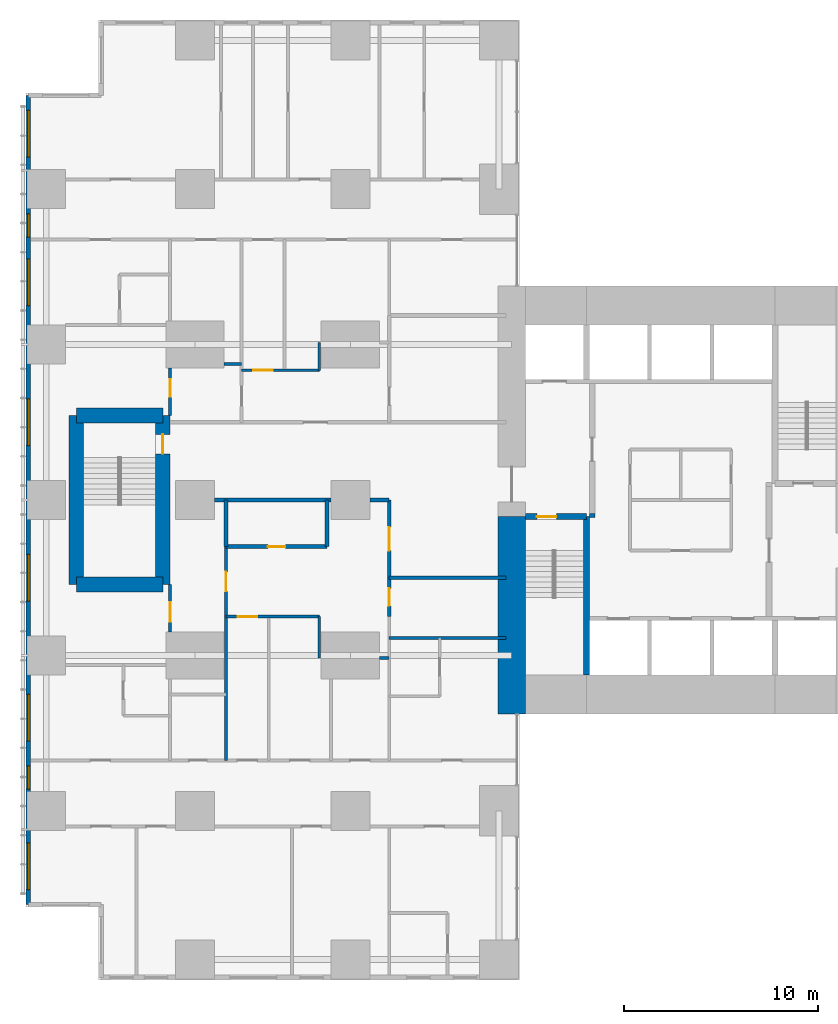
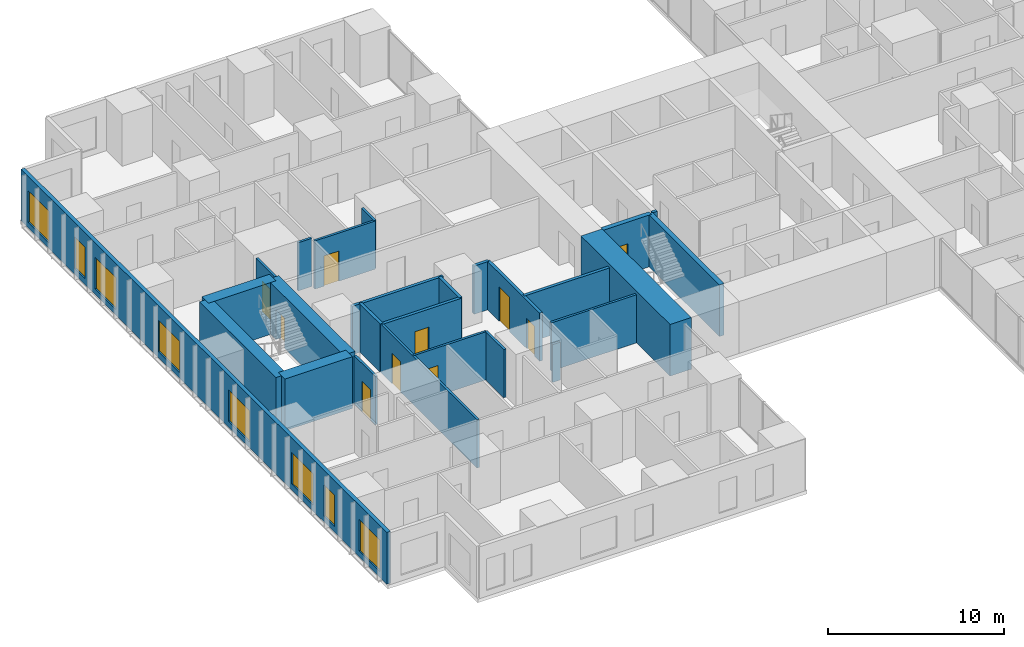
# One storey, part 13 of 20: 26 walls, 10 doors, 8 windows, 18 openings.
"""IFC4 building model written with IfcOpenShell, lengths in metres."""

from ifc_helpers import new_model, si_unit, direction, frame, frame_2d, origin, place, context, subcontext, project, spatial, rectangle, extrude, material, layer, layer_set, type_object, element, fill, save


model = new_model("IFC4")

# Units and contexts
model_context = context("Model", 3, precision=1e-05, world=origin(), true_north=direction((0.0, 1.0)))
body_context = subcontext(model_context, "Body", "Model", "MODEL_VIEW")
ifc_project = project(units=[si_unit("LENGTHUNIT", "METRE"), si_unit("AREAUNIT", "SQUARE_METRE"), si_unit("VOLUMEUNIT", "CUBIC_METRE"), si_unit("PLANEANGLEUNIT", "RADIAN"), si_unit("MASSUNIT", "GRAM", prefix="KILO")], contexts=[model_context])

# Site, building, storey
site_placement = place(None, origin())
site = spatial("IfcSite", under=ifc_project, at=site_placement, CompositionType="ELEMENT")
building_placement = place(site_placement, origin())
building = spatial("IfcBuilding", under=site, at=building_placement, Name="Cleftline Residences", CompositionType="ELEMENT")
storey_placement = place(building_placement, frame((0.0, 0.0, 164.60009765625)))
storey = spatial("IfcBuildingStorey", under=building, at=storey_placement, Name="L43", CompositionType="ELEMENT", Elevation=164.60009765625)

# Walls
ifc_material_1 = material(Name="Concrete B70", Category="concrete")
ifc_layer_1 = layer(ifc_material_1, 1.39990234375)
ifc_layer_set_1 = layer_set([ifc_layer_1], Name="CORE WALL 1400")
wall_type_1 = type_object("IfcWallType", Name="CORE WALL 1400", PredefinedType="SHEAR", material=ifc_layer_set_1)
wall_1_placement = place(storey_placement, frame((24.300048828125, 13.0, 0.0), z_axis=(0.0, 0.0, 1.0), x_axis=(0.0, 1.0, 0.0)))
element("IfcWall", 1, at=wall_1_placement, inside=storey, type_object=wall_type_1, Name="Core wall W0", PredefinedType="SHEAR", context=body_context, shape_type="SweptSolid", body=[
    extrude(rectangle(XDim=10.14990234375, YDim=1.39990234375, at=frame_2d((5.074951171875, 0.0))), origin(), (0.0, 0.0, 1.0), 3.599853515625),
])
ifc_material_2 = material(Name="Concrete B70", Category="concrete")
ifc_layer_2 = layer(ifc_material_2, 0.300048828125)
ifc_layer_set_2 = layer_set([ifc_layer_2], Name="CORE WALL 300")
wall_type_2 = type_object("IfcWallType", Name="CORE WALL 300", PredefinedType="SHEAR", material=ifc_layer_set_2)
wall_2_placement = place(storey_placement, frame((28.14990234375, 15.0, 0.0), z_axis=(0.0, 0.0, 1.0), x_axis=(0.0, 1.0, 0.0)))
element("IfcWall", 2, at=wall_2_placement, inside=storey, type_object=wall_type_2, Name="Core wall SA-E", PredefinedType="SHEAR", context=body_context, shape_type="SweptSolid", body=[
    extrude(rectangle(XDim=8.14990234375, YDim=0.300048828125, at=frame_2d((4.074951171875, 0.0))), origin(), (0.0, 0.0, 1.0), 3.599853515625),
])

# Wall, opening, door
wall_3_placement = place(storey_placement, frame((25.0, 23.14990234375, 0.0), z_axis=(0.0, 0.0, 1.0), x_axis=(1.0, 0.0, 0.0)))
wall_3 = element("IfcWall", 3, at=wall_3_placement, inside=storey, type_object=wall_type_2, Name="Core wall SA-N", PredefinedType="SHEAR", context=body_context, shape_type="SweptSolid", body=[
    extrude(rectangle(XDim=3.14990234375, YDim=0.300048828125, at=frame_2d((1.574951171875, 0.0))), origin(), (0.0, 0.0, 1.0), 3.599853515625),
])
opening_1_placement = place(wall_3_placement, frame((0.60009765625, 0.0, 0.0)))
opening_1 = element("IfcOpeningElement", 4, at=opening_1_placement, cuts=wall_3, Name="Opening D5", PredefinedType="OPENING", context=body_context, shape_type="SweptSolid", body=[
    extrude(rectangle(XDim=1.0, YDim=2.10009765625, at=frame_2d((0.5, 1.050048828125))), frame((0.0, 0.159912109375, 0.0), z_axis=(0.0, -1.0, 0.0), x_axis=(1.0, 0.0, 0.0)), (0.0, 0.0, 1.0), 0.320068359375),
])
ifc_material_3 = material(Name="Steel", Category="steel")
door_type_1 = type_object("IfcDoorType", Name="STAIR DOOR 1000X2100", OperationType="SINGLE_SWING_LEFT", PredefinedType="DOOR", material=ifc_material_3)
door_1_placement = place(opening_1_placement, origin())
door_1 = element("IfcDoor", 5, at=door_1_placement, inside=storey, type_object=door_type_1, Name="Stair A door", OperationType="SINGLE_SWING_RIGHT", OverallHeight=2.10009765625, OverallWidth=1.0, PredefinedType="DOOR", context=body_context, shape_type="SweptSolid", body=[
    extrude(rectangle(XDim=1.0, YDim=2.10009765625, at=frame_2d((0.5, 1.050048828125))), frame((0.0, 0.02490234375, 0.0), z_axis=(0.0, -1.0, 0.0), x_axis=(1.0, 0.0, 0.0)), (0.0, 0.0, 1.0), 0.050048828125),
])
fill(opening_1, door_1)

# Wall, openings, windows
ifc_material_4 = material(Name="Rendered reinforced concrete blockwork", Category="masonry")
ifc_layer_3 = layer(ifc_material_4, 0.25)
ifc_layer_set_3 = layer_set([ifc_layer_3], Name="EXTERNAL WALL 250")
wall_type_3 = type_object("IfcWallType", Name="EXTERNAL WALL 250", PredefinedType="SOLIDWALL", material=ifc_layer_set_3)
wall_4_placement = place(storey_placement, frame((-0.574951171875, 44.824951171875, 0.0), z_axis=(0.0, 0.0, 1.0), x_axis=(0.0, -1.0, 0.0)))
wall_4 = element("IfcWall", 6, at=wall_4_placement, inside=storey, type_object=wall_type_3, Name="External wall", PredefinedType="SOLIDWALL", context=body_context, shape_type="SweptSolid", body=[
    extrude(rectangle(XDim=41.64990234375, YDim=0.25, at=frame_2d((20.824951171875, 0.0))), origin(), (0.0, 0.0, 1.0), 3.599853515625),
])
opening_2_placement = place(wall_4_placement, frame((0.77490234375, 0.0, 0.39990234375)))
opening_2 = element("IfcOpeningElement", 7, at=opening_2_placement, cuts=wall_4, Name="Opening W12", PredefinedType="OPENING", context=body_context, shape_type="SweptSolid", body=[
    extrude(rectangle(XDim=2.39990234375, YDim=2.199951171875, at=frame_2d((1.199951171875, 1.10009765625))), frame((0.0, 0.135009765625, 0.0), z_axis=(0.0, -1.0, 0.0), x_axis=(1.0, 0.0, 0.0)), (0.0, 0.0, 1.0), 0.27001953125),
])
opening_3_placement = place(wall_4_placement, frame((6.10009765625, 0.0, 0.39990234375)))
opening_3 = element("IfcOpeningElement", 8, at=opening_3_placement, cuts=wall_4, Name="Opening W11", PredefinedType="OPENING", context=body_context, shape_type="SweptSolid", body=[
    extrude(rectangle(XDim=1.199951171875, YDim=2.199951171875, at=frame_2d((0.60009765625, 1.10009765625))), frame((0.0, 0.135009765625, 0.0), z_axis=(0.0, -1.0, 0.0), x_axis=(1.0, 0.0, 0.0)), (0.0, 0.0, 1.0), 0.27001953125),
])
opening_4_placement = place(wall_4_placement, frame((8.425048828125, 0.0, 0.39990234375)))
opening_4 = element("IfcOpeningElement", 9, at=opening_4_placement, cuts=wall_4, Name="Opening W12", PredefinedType="OPENING", context=body_context, shape_type="SweptSolid", body=[
    extrude(rectangle(XDim=2.39990234375, YDim=2.199951171875, at=frame_2d((1.199951171875, 1.10009765625))), frame((0.0, 0.135009765625, 0.0), z_axis=(0.0, -1.0, 0.0), x_axis=(1.0, 0.0, 0.0)), (0.0, 0.0, 1.0), 0.27001953125),
])
opening_5_placement = place(wall_4_placement, frame((15.625, 0.0, 0.39990234375)))
opening_5 = element("IfcOpeningElement", 10, at=opening_5_placement, cuts=wall_4, Name="Opening W12", PredefinedType="OPENING", context=body_context, shape_type="SweptSolid", body=[
    extrude(rectangle(XDim=2.39990234375, YDim=2.199951171875, at=frame_2d((1.199951171875, 1.10009765625))), frame((0.0, 0.135009765625, 0.0), z_axis=(0.0, -1.0, 0.0), x_axis=(1.0, 0.0, 0.0)), (0.0, 0.0, 1.0), 0.27001953125),
])
opening_6_placement = place(wall_4_placement, frame((23.625, 0.0, 0.39990234375)))
opening_6 = element("IfcOpeningElement", 11, at=opening_6_placement, cuts=wall_4, Name="Opening W12", PredefinedType="OPENING", context=body_context, shape_type="SweptSolid", body=[
    extrude(rectangle(XDim=2.39990234375, YDim=2.199951171875, at=frame_2d((1.199951171875, 1.10009765625))), frame((0.0, 0.135009765625, 0.0), z_axis=(0.0, -1.0, 0.0), x_axis=(1.0, 0.0, 0.0)), (0.0, 0.0, 1.0), 0.27001953125),
])
opening_7_placement = place(wall_4_placement, frame((30.824951171875, 0.0, 0.39990234375)))
opening_7 = element("IfcOpeningElement", 12, at=opening_7_placement, cuts=wall_4, Name="Opening W12", PredefinedType="OPENING", context=body_context, shape_type="SweptSolid", body=[
    extrude(rectangle(XDim=2.39990234375, YDim=2.199951171875, at=frame_2d((1.199951171875, 1.10009765625))), frame((0.0, 0.135009765625, 0.0), z_axis=(0.0, -1.0, 0.0), x_axis=(1.0, 0.0, 0.0)), (0.0, 0.0, 1.0), 0.27001953125),
])
opening_8_placement = place(wall_4_placement, frame((34.5, 0.0, 0.39990234375)))
opening_8 = element("IfcOpeningElement", 13, at=opening_8_placement, cuts=wall_4, Name="Opening W11", PredefinedType="OPENING", context=body_context, shape_type="SweptSolid", body=[
    extrude(rectangle(XDim=1.199951171875, YDim=2.199951171875, at=frame_2d((0.60009765625, 1.10009765625))), frame((0.0, 0.135009765625, 0.0), z_axis=(0.0, -1.0, 0.0), x_axis=(1.0, 0.0, 0.0)), (0.0, 0.0, 1.0), 0.27001953125),
])
opening_9_placement = place(wall_4_placement, frame((38.47509765625, 0.0, 0.39990234375)))
opening_9 = element("IfcOpeningElement", 14, at=opening_9_placement, cuts=wall_4, Name="Opening W12", PredefinedType="OPENING", context=body_context, shape_type="SweptSolid", body=[
    extrude(rectangle(XDim=2.39990234375, YDim=2.199951171875, at=frame_2d((1.199951171875, 1.10009765625))), frame((0.0, 0.135009765625, 0.0), z_axis=(0.0, -1.0, 0.0), x_axis=(1.0, 0.0, 0.0)), (0.0, 0.0, 1.0), 0.27001953125),
])
ifc_material_5 = material(Name="Aluminium frame, clear double glazing", Category="aluminium")
window_type_1 = type_object("IfcWindowType", Name="WINDOW 1200X2200", PartitioningType="DOUBLE_PANEL_VERTICAL", PredefinedType="WINDOW", material=ifc_material_5)
window_1_placement = place(opening_3_placement, origin())
window_1 = element("IfcWindow", 15, at=window_1_placement, inside=storey, type_object=window_type_1, Name="Window", OverallHeight=2.199951171875, OverallWidth=1.199951171875, PartitioningType="SINGLE_PANEL", PredefinedType="WINDOW", context=body_context, shape_type="SweptSolid", body=[
    extrude(rectangle(XDim=1.199951171875, YDim=2.199951171875, at=frame_2d((0.60009765625, 1.10009765625))), frame((0.0, 0.030029296875, 0.0), z_axis=(0.0, -1.0, 0.0), x_axis=(1.0, 0.0, 0.0)), (0.0, 0.0, 1.0), 0.06005859375),
])
fill(opening_3, window_1)
window_2_placement = place(opening_8_placement, origin())
window_2 = element("IfcWindow", 16, at=window_2_placement, inside=storey, type_object=window_type_1, Name="Window", OverallHeight=2.199951171875, OverallWidth=1.199951171875, PartitioningType="SINGLE_PANEL", PredefinedType="WINDOW", context=body_context, shape_type="SweptSolid", body=[
    extrude(rectangle(XDim=1.199951171875, YDim=2.199951171875, at=frame_2d((0.60009765625, 1.10009765625))), frame((0.0, 0.030029296875, 0.0), z_axis=(0.0, -1.0, 0.0), x_axis=(1.0, 0.0, 0.0)), (0.0, 0.0, 1.0), 0.06005859375),
])
fill(opening_8, window_2)
ifc_material_6 = material(Name="Aluminium frame, clear double glazing", Category="aluminium")
window_type_2 = type_object("IfcWindowType", Name="WINDOW 2400X2200", PartitioningType="DOUBLE_PANEL_VERTICAL", PredefinedType="WINDOW", material=ifc_material_6)
window_3_placement = place(opening_2_placement, origin())
window_3 = element("IfcWindow", 17, at=window_3_placement, inside=storey, type_object=window_type_2, Name="Window", OverallHeight=2.199951171875, OverallWidth=2.39990234375, PartitioningType="SINGLE_PANEL", PredefinedType="WINDOW", context=body_context, shape_type="SweptSolid", body=[
    extrude(rectangle(XDim=2.39990234375, YDim=2.199951171875, at=frame_2d((1.199951171875, 1.10009765625))), frame((0.0, 0.030029296875, 0.0), z_axis=(0.0, -1.0, 0.0), x_axis=(1.0, 0.0, 0.0)), (0.0, 0.0, 1.0), 0.06005859375),
])
fill(opening_2, window_3)
window_4_placement = place(opening_4_placement, origin())
window_4 = element("IfcWindow", 18, at=window_4_placement, inside=storey, type_object=window_type_2, Name="Window", OverallHeight=2.199951171875, OverallWidth=2.39990234375, PartitioningType="SINGLE_PANEL", PredefinedType="WINDOW", context=body_context, shape_type="SweptSolid", body=[
    extrude(rectangle(XDim=2.39990234375, YDim=2.199951171875, at=frame_2d((1.199951171875, 1.10009765625))), frame((0.0, 0.030029296875, 0.0), z_axis=(0.0, -1.0, 0.0), x_axis=(1.0, 0.0, 0.0)), (0.0, 0.0, 1.0), 0.06005859375),
])
fill(opening_4, window_4)
window_5_placement = place(opening_5_placement, origin())
window_5 = element("IfcWindow", 19, at=window_5_placement, inside=storey, type_object=window_type_2, Name="Window", OverallHeight=2.199951171875, OverallWidth=2.39990234375, PartitioningType="SINGLE_PANEL", PredefinedType="WINDOW", context=body_context, shape_type="SweptSolid", body=[
    extrude(rectangle(XDim=2.39990234375, YDim=2.199951171875, at=frame_2d((1.199951171875, 1.10009765625))), frame((0.0, 0.030029296875, 0.0), z_axis=(0.0, -1.0, 0.0), x_axis=(1.0, 0.0, 0.0)), (0.0, 0.0, 1.0), 0.06005859375),
])
fill(opening_5, window_5)
window_6_placement = place(opening_6_placement, origin())
window_6 = element("IfcWindow", 20, at=window_6_placement, inside=storey, type_object=window_type_2, Name="Window", OverallHeight=2.199951171875, OverallWidth=2.39990234375, PartitioningType="SINGLE_PANEL", PredefinedType="WINDOW", context=body_context, shape_type="SweptSolid", body=[
    extrude(rectangle(XDim=2.39990234375, YDim=2.199951171875, at=frame_2d((1.199951171875, 1.10009765625))), frame((0.0, 0.030029296875, 0.0), z_axis=(0.0, -1.0, 0.0), x_axis=(1.0, 0.0, 0.0)), (0.0, 0.0, 1.0), 0.06005859375),
])
fill(opening_6, window_6)
window_7_placement = place(opening_7_placement, origin())
window_7 = element("IfcWindow", 21, at=window_7_placement, inside=storey, type_object=window_type_2, Name="Window", OverallHeight=2.199951171875, OverallWidth=2.39990234375, PartitioningType="SINGLE_PANEL", PredefinedType="WINDOW", context=body_context, shape_type="SweptSolid", body=[
    extrude(rectangle(XDim=2.39990234375, YDim=2.199951171875, at=frame_2d((1.199951171875, 1.10009765625))), frame((0.0, 0.030029296875, 0.0), z_axis=(0.0, -1.0, 0.0), x_axis=(1.0, 0.0, 0.0)), (0.0, 0.0, 1.0), 0.06005859375),
])
fill(opening_7, window_7)
window_8_placement = place(opening_9_placement, origin())
window_8 = element("IfcWindow", 22, at=window_8_placement, inside=storey, type_object=window_type_2, Name="Window", OverallHeight=2.199951171875, OverallWidth=2.39990234375, PartitioningType="SINGLE_PANEL", PredefinedType="WINDOW", context=body_context, shape_type="SweptSolid", body=[
    extrude(rectangle(XDim=2.39990234375, YDim=2.199951171875, at=frame_2d((1.199951171875, 1.10009765625))), frame((0.0, 0.030029296875, 0.0), z_axis=(0.0, -1.0, 0.0), x_axis=(1.0, 0.0, 0.0)), (0.0, 0.0, 1.0), 0.06005859375),
])
fill(opening_9, window_8)

# Wall
ifc_material_7 = material(Name="Concrete blockwork, fire rated", Category="masonry")
ifc_layer_4 = layer(ifc_material_7, 0.199951171875)
ifc_layer_set_4 = layer_set([ifc_layer_4], Name="FIRE WALL 200")
wall_type_4 = type_object("IfcWallType", Name="FIRE WALL 200", PredefinedType="PARTITIONING", material=ifc_layer_set_4)
wall_5_placement = place(storey_placement, frame((18.0, 20.0, 0.0), z_axis=(0.0, 0.0, 1.0), x_axis=(1.0, 0.0, 0.0)))
element("IfcWall", 23, at=wall_5_placement, inside=storey, type_object=wall_type_4, Name="Fire separating wall", PredefinedType="PARTITIONING", context=body_context, shape_type="SweptSolid", body=[
    extrude(rectangle(XDim=6.0, YDim=0.199951171875, at=frame_2d((3.0, 0.0))), origin(), (0.0, 0.0, 1.0), 3.349853515625),
])

# Wall, opening, door
wall_6_placement = place(storey_placement, frame((9.60009765625, 21.60009765625, 0.0), z_axis=(0.0, 0.0, 1.0), x_axis=(1.0, 0.0, 0.0)))
wall_6 = element("IfcWall", 24, at=wall_6_placement, inside=storey, type_object=wall_type_4, Name="Fire separating wall", PredefinedType="PARTITIONING", context=body_context, shape_type="SweptSolid", body=[
    extrude(rectangle(XDim=5.199951171875, YDim=0.199951171875, at=frame_2d((2.60009765625, 0.0))), origin(), (0.0, 0.0, 1.0), 3.349853515625),
])
opening_10_placement = place(wall_6_placement, frame((2.14990234375, 0.0, 0.0)))
opening_10 = element("IfcOpeningElement", 25, at=opening_10_placement, cuts=wall_6, Name="Opening D1F30", PredefinedType="OPENING", context=body_context, shape_type="SweptSolid", body=[
    extrude(rectangle(XDim=0.89990234375, YDim=2.10009765625, at=frame_2d((0.449951171875, 1.050048828125))), frame((0.0, 0.10986328125, 0.0), z_axis=(0.0, -1.0, 0.0), x_axis=(1.0, 0.0, 0.0)), (0.0, 0.0, 1.0), 0.219970703125),
])
ifc_material_8 = material(Name="Timber veneer on solid core", Category="wood")
door_type_2 = type_object("IfcDoorType", Name="DOOR 900X2100 EI 30", OperationType="SINGLE_SWING_LEFT", PredefinedType="DOOR", material=ifc_material_8)
door_2_placement = place(opening_10_placement, origin())
door_2 = element("IfcDoor", 26, at=door_2_placement, inside=storey, type_object=door_type_2, Name="Door to cloakroom wc", OperationType="SINGLE_SWING_LEFT", OverallHeight=2.10009765625, OverallWidth=0.89990234375, PredefinedType="DOOR", context=body_context, shape_type="SweptSolid", body=[
    extrude(rectangle(XDim=0.89990234375, YDim=2.10009765625, at=frame_2d((0.449951171875, 1.050048828125))), frame((0.0, 0.02490234375, 0.0), z_axis=(0.0, -1.0, 0.0), x_axis=(1.0, 0.0, 0.0)), (0.0, 0.0, 1.0), 0.050048828125),
])
fill(opening_10, door_2)

# Walls
wall_7_placement = place(storey_placement, frame((9.0, 24.0, 0.0), z_axis=(0.0, 0.0, 1.0), x_axis=(1.0, 0.0, 0.0)))
element("IfcWall", 27, at=wall_7_placement, inside=storey, type_object=wall_type_4, Name="Fire separating wall", PredefinedType="PARTITIONING", context=body_context, shape_type="SweptSolid", body=[
    extrude(rectangle(XDim=6.0, YDim=0.199951171875, at=frame_2d((3.0, 0.0))), origin(), (0.0, 0.0, 1.0), 3.349853515625),
])
wall_8_placement = place(storey_placement, frame((17.0, 24.0, 0.0), z_axis=(0.0, 0.0, 1.0), x_axis=(1.0, 0.0, 0.0)))
element("IfcWall", 28, at=wall_8_placement, inside=storey, type_object=wall_type_4, Name="Fire separating wall", PredefinedType="PARTITIONING", context=body_context, shape_type="SweptSolid", body=[
    extrude(rectangle(XDim=1.0, YDim=0.199951171875, at=frame_2d((0.5, 0.0))), origin(), (0.0, 0.0, 1.0), 3.349853515625),
])
for number, where, z_axis, x_axis, name in (
    (29, (9.60009765625, 21.60009765625, 0.0), (0.0, 0.0, 1.0), (0.0, 1.0, 0.0), "Fire separating wall"),
    (30, (14.800048828125, 21.60009765625, 0.0), (0.0, 0.0, 1.0), (0.0, 1.0, 0.0), "Fire separating wall"),
):
    element("IfcWall", number, at=place(storey_placement, frame(where, z_axis=z_axis, x_axis=x_axis)), inside=storey, type_object=wall_type_4, Name=name, PredefinedType="PARTITIONING", context=body_context, shape_type="SweptSolid", body=[
        extrude(rectangle(XDim=2.39990234375, YDim=0.199951171875, at=frame_2d((1.199951171875, 0.0))), origin(), (0.0, 0.0, 1.0), 3.349853515625),
    ])

# Wall, openings, doors
wall_9_placement = place(storey_placement, frame((18.0, 18.0, 0.0), z_axis=(0.0, 0.0, 1.0), x_axis=(0.0, 1.0, 0.0)))
wall_9 = element("IfcWall", 31, at=wall_9_placement, inside=storey, type_object=wall_type_4, Name="Fire separating wall", PredefinedType="PARTITIONING", context=body_context, shape_type="SweptSolid", body=[
    extrude(rectangle(XDim=6.0, YDim=0.199951171875, at=frame_2d((3.0, 0.0))), origin(), (0.0, 0.0, 1.0), 3.349853515625),
])
opening_11_placement = place(wall_9_placement, frame((3.39990234375, 0.0, 0.0)))
opening_11 = element("IfcOpeningElement", 32, at=opening_11_placement, cuts=wall_9, Name="Opening D4", PredefinedType="OPENING", context=body_context, shape_type="SweptSolid", body=[
    extrude(rectangle(XDim=1.199951171875, YDim=2.39990234375, at=frame_2d((0.60009765625, 1.199951171875))), frame((0.0, 0.10986328125, 0.0), z_axis=(0.0, -1.0, 0.0), x_axis=(1.0, 0.0, 0.0)), (0.0, 0.0, 1.0), 0.219970703125),
])
opening_12_placement = place(wall_9_placement, frame((0.550048828125, 0.0, 0.0)))
opening_12 = element("IfcOpeningElement", 33, at=opening_12_placement, cuts=wall_9, Name="Opening D1F30", PredefinedType="OPENING", context=body_context, shape_type="SweptSolid", body=[
    extrude(rectangle(XDim=0.89990234375, YDim=2.10009765625, at=frame_2d((0.449951171875, 1.050048828125))), frame((0.0, 0.10986328125, 0.0), z_axis=(0.0, -1.0, 0.0), x_axis=(1.0, 0.0, 0.0)), (0.0, 0.0, 1.0), 0.219970703125),
])
ifc_material_9 = material(Name="Timber veneer on solid core", Category="wood")
door_type_3 = type_object("IfcDoorType", Name="APARTMENT ENTRANCE DOOR 1200X2400", OperationType="SINGLE_SWING_RIGHT", PredefinedType="DOOR", material=ifc_material_9)
door_3_placement = place(opening_11_placement, origin())
door_3 = element("IfcDoor", 34, at=door_3_placement, inside=storey, type_object=door_type_3, Name="Door to residence entrance foyer", OperationType="SINGLE_SWING_LEFT", OverallHeight=2.39990234375, OverallWidth=1.199951171875, PredefinedType="DOOR", context=body_context, shape_type="SweptSolid", body=[
    extrude(rectangle(XDim=1.199951171875, YDim=2.39990234375, at=frame_2d((0.60009765625, 1.199951171875))), frame((0.0, 0.02490234375, 0.0), z_axis=(0.0, -1.0, 0.0), x_axis=(1.0, 0.0, 0.0)), (0.0, 0.0, 1.0), 0.050048828125),
])
fill(opening_11, door_3)
door_4_placement = place(opening_12_placement, origin())
door_4 = element("IfcDoor", 35, at=door_4_placement, inside=storey, type_object=door_type_2, Name="Door to laundry", OperationType="SINGLE_SWING_RIGHT", OverallHeight=2.10009765625, OverallWidth=0.89990234375, PredefinedType="DOOR", context=body_context, shape_type="SweptSolid", body=[
    extrude(rectangle(XDim=0.89990234375, YDim=2.10009765625, at=frame_2d((0.449951171875, 1.050048828125))), frame((0.0, 0.02490234375, 0.0), z_axis=(0.0, -1.0, 0.0), x_axis=(1.0, 0.0, 0.0)), (0.0, 0.0, 1.0), 0.050048828125),
])
fill(opening_12, door_4)

# Walls
wall_10_placement = place(storey_placement, frame((28.300048828125, 23.199951171875, 0.0), z_axis=(0.0, 0.0, 1.0), x_axis=(1.0, 0.0, 0.0)))
element("IfcWall", 36, at=wall_10_placement, inside=storey, type_object=wall_type_4, Name="Fire separating wall", PredefinedType="PARTITIONING", context=body_context, shape_type="SweptSolid", body=[
    extrude(rectangle(XDim=0.300048828125, YDim=0.199951171875, at=frame_2d((0.14990234375, 0.0))), origin(), (0.0, 0.0, 1.0), 3.599853515625),
])
ifc_material_10 = material(Name="Gypsum board on steel studs", Category="steel")
ifc_layer_5 = layer(ifc_material_10, 0.14990234375)
ifc_layer_set_5 = layer_set([ifc_layer_5], Name="PARTITION 150")
wall_type_5 = type_object("IfcWallType", Name="PARTITION 150", PredefinedType="PARTITIONING", material=ifc_layer_set_5)
wall_11_placement = place(storey_placement, frame((17.5, 15.875, 0.0), z_axis=(0.0, 0.0, 1.0), x_axis=(1.0, 0.0, 0.0)))
element("IfcWall", 37, at=wall_11_placement, inside=storey, type_object=wall_type_5, Name="Partition", PredefinedType="PARTITIONING", context=body_context, shape_type="SweptSolid", body=[
    extrude(rectangle(XDim=0.5, YDim=0.14990234375, at=frame_2d((0.25, 0.0))), origin(), (0.0, 0.0, 1.0), 2.6337890625),
])
wall_12_placement = place(storey_placement, frame((18.0, 16.89990234375, 0.0), z_axis=(0.0, 0.0, 1.0), x_axis=(1.0, 0.0, 0.0)))
element("IfcWall", 38, at=wall_12_placement, inside=storey, type_object=wall_type_5, Name="Partition", PredefinedType="PARTITIONING", context=body_context, shape_type="SweptSolid", body=[
    extrude(rectangle(XDim=6.0, YDim=0.14990234375, at=frame_2d((3.0, 0.0))), origin(), (0.0, 0.0, 1.0), 3.349853515625),
])

# Wall, opening, door
wall_13_placement = place(storey_placement, frame((9.60009765625, 18.0, 0.0), z_axis=(0.0, 0.0, 1.0), x_axis=(1.0, 0.0, 0.0)))
wall_13 = element("IfcWall", 39, at=wall_13_placement, inside=storey, type_object=wall_type_5, Name="Partition", PredefinedType="PARTITIONING", context=body_context, shape_type="SweptSolid", body=[
    extrude(rectangle(XDim=4.7998046875, YDim=0.14990234375, at=frame_2d((2.39990234375, 0.0))), origin(), (0.0, 0.0, 1.0), 3.349853515625),
])
opening_13_placement = place(wall_13_placement, frame((0.60009765625, 0.0, 0.0)))
opening_13 = element("IfcOpeningElement", 40, at=opening_13_placement, cuts=wall_13, Name="Opening D2", PredefinedType="OPENING", context=body_context, shape_type="SweptSolid", body=[
    extrude(rectangle(XDim=1.0, YDim=2.10009765625, at=frame_2d((0.5, 1.050048828125))), frame((0.0, 0.0849609375, 0.0), z_axis=(0.0, -1.0, 0.0), x_axis=(1.0, 0.0, 0.0)), (0.0, 0.0, 1.0), 0.169921875),
])
ifc_material_11 = material(Name="Timber veneer on solid core", Category="wood")
door_type_4 = type_object("IfcDoorType", Name="DOOR 1000X2100", OperationType="SINGLE_SWING_LEFT", PredefinedType="DOOR", material=ifc_material_11)
door_5_placement = place(opening_13_placement, origin())
door_5 = element("IfcDoor", 41, at=door_5_placement, inside=storey, type_object=door_type_4, Name="Door to residence passage", OperationType="SINGLE_SWING_RIGHT", OverallHeight=2.10009765625, OverallWidth=1.0, PredefinedType="DOOR", context=body_context, shape_type="SweptSolid", body=[
    extrude(rectangle(XDim=1.0, YDim=2.10009765625, at=frame_2d((0.5, 1.050048828125))), frame((0.0, 0.02490234375, 0.0), z_axis=(0.0, -1.0, 0.0), x_axis=(1.0, 0.0, 0.0)), (0.0, 0.0, 1.0), 0.050048828125),
])
fill(opening_13, door_5)

wall_14_placement = place(storey_placement, frame((10.39990234375, 30.675048828125, 0.0), z_axis=(0.0, 0.0, 1.0), x_axis=(1.0, 0.0, 0.0)))
wall_14 = element("IfcWall", 42, at=wall_14_placement, inside=storey, type_object=wall_type_5, Name="Partition", PredefinedType="PARTITIONING", context=body_context, shape_type="SweptSolid", body=[
    extrude(rectangle(XDim=4.0, YDim=0.14990234375, at=frame_2d((2.0, 0.0))), origin(), (0.0, 0.0, 1.0), 3.349853515625),
])
opening_14_placement = place(wall_14_placement, frame((0.60009765625, 0.0, 0.0)))
opening_14 = element("IfcOpeningElement", 43, at=opening_14_placement, cuts=wall_14, Name="Opening D2", PredefinedType="OPENING", context=body_context, shape_type="SweptSolid", body=[
    extrude(rectangle(XDim=1.0, YDim=2.10009765625, at=frame_2d((0.5, 1.050048828125))), frame((0.0, 0.0849609375, 0.0), z_axis=(0.0, -1.0, 0.0), x_axis=(1.0, 0.0, 0.0)), (0.0, 0.0, 1.0), 0.169921875),
])
door_6_placement = place(opening_14_placement, origin())
door_6 = element("IfcDoor", 44, at=door_6_placement, inside=storey, type_object=door_type_4, Name="Door to residence passage", OperationType="SINGLE_SWING_RIGHT", OverallHeight=2.10009765625, OverallWidth=1.0, PredefinedType="DOOR", context=body_context, shape_type="SweptSolid", body=[
    extrude(rectangle(XDim=1.0, YDim=2.10009765625, at=frame_2d((0.5, 1.050048828125))), frame((0.0, 0.02490234375, 0.0), z_axis=(0.0, -1.0, 0.0), x_axis=(1.0, 0.0, 0.0)), (0.0, 0.0, 1.0), 0.050048828125),
])
fill(opening_14, door_6)

# Wall
wall_15_placement = place(storey_placement, frame((9.5, 31.0, 0.0), z_axis=(0.0, 0.0, 1.0), x_axis=(1.0, 0.0, 0.0)))
element("IfcWall", 45, at=wall_15_placement, inside=storey, type_object=wall_type_5, Name="Partition", PredefinedType="PARTITIONING", context=body_context, shape_type="SweptSolid", body=[
    extrude(rectangle(XDim=0.89990234375, YDim=0.14990234375, at=frame_2d((0.449951171875, 0.0))), origin(), (0.0, 0.0, 1.0), 3.349853515625),
])

# Wall, opening, door
wall_16_placement = place(storey_placement, frame((6.72509765625, 17.199951171875, 0.0), z_axis=(0.0, 0.0, 1.0), x_axis=(0.0, 1.0, 0.0)))
wall_16 = element("IfcWall", 46, at=wall_16_placement, inside=storey, type_object=wall_type_5, Name="Partition", PredefinedType="PARTITIONING", context=body_context, shape_type="SweptSolid", body=[
    extrude(rectangle(XDim=2.449951171875, YDim=0.14990234375, at=frame_2d((1.22509765625, 0.0))), origin(), (0.0, 0.0, 1.0), 3.349853515625),
])
opening_15_placement = place(wall_16_placement, frame((0.53759765625, 0.0, 0.0)))
opening_15 = element("IfcOpeningElement", 47, at=opening_15_placement, cuts=wall_16, Name="Opening D2", PredefinedType="OPENING", context=body_context, shape_type="SweptSolid", body=[
    extrude(rectangle(XDim=1.0, YDim=2.10009765625, at=frame_2d((0.5, 1.050048828125))), frame((0.0, 0.0849609375, 0.0), z_axis=(0.0, -1.0, 0.0), x_axis=(1.0, 0.0, 0.0)), (0.0, 0.0, 1.0), 0.169921875),
])
door_7_placement = place(opening_15_placement, origin())
door_7 = element("IfcDoor", 48, at=door_7_placement, inside=storey, type_object=door_type_4, Name="Door to staff bedroom", OperationType="SINGLE_SWING_RIGHT", OverallHeight=2.10009765625, OverallWidth=1.0, PredefinedType="DOOR", context=body_context, shape_type="SweptSolid", body=[
    extrude(rectangle(XDim=1.0, YDim=2.10009765625, at=frame_2d((0.5, 1.050048828125))), frame((0.0, 0.02490234375, 0.0), z_axis=(0.0, -1.0, 0.0), x_axis=(1.0, 0.0, 0.0)), (0.0, 0.0, 1.0), 0.050048828125),
])
fill(opening_15, door_7)

wall_17_placement = place(storey_placement, frame((6.72509765625, 28.35009765625, 0.0), z_axis=(0.0, 0.0, 1.0), x_axis=(0.0, 1.0, 0.0)))
wall_17 = element("IfcWall", 49, at=wall_17_placement, inside=storey, type_object=wall_type_5, Name="Partition", PredefinedType="PARTITIONING", context=body_context, shape_type="SweptSolid", body=[
    extrude(rectangle(XDim=2.449951171875, YDim=0.14990234375, at=frame_2d((1.22509765625, 0.0))), origin(), (0.0, 0.0, 1.0), 3.349853515625),
])
opening_16_placement = place(wall_17_placement, frame((0.96240234375, 0.0, 0.0)))
opening_16 = element("IfcOpeningElement", 50, at=opening_16_placement, cuts=wall_17, Name="Opening D1", PredefinedType="OPENING", context=body_context, shape_type="SweptSolid", body=[
    extrude(rectangle(XDim=0.89990234375, YDim=2.10009765625, at=frame_2d((0.449951171875, 1.050048828125))), frame((0.0, 0.0849609375, 0.0), z_axis=(0.0, -1.0, 0.0), x_axis=(1.0, 0.0, 0.0)), (0.0, 0.0, 1.0), 0.169921875),
])
ifc_material_12 = material(Name="Timber veneer on solid core", Category="wood")
door_type_5 = type_object("IfcDoorType", Name="DOOR 900X2100", OperationType="SINGLE_SWING_LEFT", PredefinedType="DOOR", material=ifc_material_12)
door_8_placement = place(opening_16_placement, origin())
door_8 = element("IfcDoor", 51, at=door_8_placement, inside=storey, type_object=door_type_5, Name="Door to drying loggia", OperationType="SINGLE_SWING_LEFT", OverallHeight=2.10009765625, OverallWidth=0.89990234375, PredefinedType="DOOR", context=body_context, shape_type="SweptSolid", body=[
    extrude(rectangle(XDim=0.89990234375, YDim=2.10009765625, at=frame_2d((0.449951171875, 1.050048828125))), frame((0.0, 0.02490234375, 0.0), z_axis=(0.0, -1.0, 0.0), x_axis=(1.0, 0.0, 0.0)), (0.0, 0.0, 1.0), 0.050048828125),
])
fill(opening_16, door_8)

wall_18_placement = place(storey_placement, frame((9.60009765625, 10.60009765625, 0.0), z_axis=(0.0, 0.0, 1.0), x_axis=(0.0, 1.0, 0.0)))
wall_18 = element("IfcWall", 52, at=wall_18_placement, inside=storey, type_object=wall_type_5, Name="Partition", PredefinedType="PARTITIONING", context=body_context, shape_type="SweptSolid", body=[
    extrude(rectangle(XDim=11.0, YDim=0.14990234375, at=frame_2d((5.5, 0.0))), origin(), (0.0, 0.0, 1.0), 3.349853515625),
])
opening_17_placement = place(wall_18_placement, frame((8.699951171875, 0.0, 0.0)))
opening_17 = element("IfcOpeningElement", 53, at=opening_17_placement, cuts=wall_18, Name="Opening D2F30", PredefinedType="OPENING", context=body_context, shape_type="SweptSolid", body=[
    extrude(rectangle(XDim=1.0, YDim=2.10009765625, at=frame_2d((0.5, 1.050048828125))), frame((0.0, 0.0849609375, 0.0), z_axis=(0.0, -1.0, 0.0), x_axis=(1.0, 0.0, 0.0)), (0.0, 0.0, 1.0), 0.169921875),
])
ifc_material_13 = material(Name="Timber veneer on solid core", Category="wood")
door_type_6 = type_object("IfcDoorType", Name="DOOR 1000X2100 EI 30", OperationType="SINGLE_SWING_LEFT", PredefinedType="DOOR", material=ifc_material_13)
door_9_placement = place(opening_17_placement, origin())
door_9 = element("IfcDoor", 54, at=door_9_placement, inside=storey, type_object=door_type_6, Name="Door to residence lobby (service)", OperationType="SINGLE_SWING_LEFT", OverallHeight=2.10009765625, OverallWidth=1.0, PredefinedType="DOOR", context=body_context, shape_type="SweptSolid", body=[
    extrude(rectangle(XDim=1.0, YDim=2.10009765625, at=frame_2d((0.5, 1.050048828125))), frame((0.0, 0.02490234375, 0.0), z_axis=(0.0, -1.0, 0.0), x_axis=(1.0, 0.0, 0.0)), (0.0, 0.0, 1.0), 0.050048828125),
])
fill(opening_17, door_9)

# Walls
wall_19_placement = place(storey_placement, frame((14.39990234375, 15.875, 0.0), z_axis=(0.0, 0.0, 1.0), x_axis=(0.0, 1.0, 0.0)))
element("IfcWall", 55, at=wall_19_placement, inside=storey, type_object=wall_type_5, Name="Partition", PredefinedType="PARTITIONING", context=body_context, shape_type="SweptSolid", body=[
    extrude(rectangle(XDim=2.125, YDim=0.14990234375, at=frame_2d((1.0625, 0.0))), origin(), (0.0, 0.0, 1.0), 3.349853515625),
])
wall_20_placement = place(storey_placement, frame((14.39990234375, 30.675048828125, 0.0), z_axis=(0.0, 0.0, 1.0), x_axis=(0.0, 1.0, 0.0)))
element("IfcWall", 56, at=wall_20_placement, inside=storey, type_object=wall_type_5, Name="Partition", PredefinedType="PARTITIONING", context=body_context, shape_type="SweptSolid", body=[
    extrude(rectangle(XDim=1.425048828125, YDim=0.14990234375, at=frame_2d((0.71240234375, 0.0))), origin(), (0.0, 0.0, 1.0), 3.349853515625),
])
ifc_material_14 = material(Name="Concrete B70", Category="concrete")
ifc_layer_6 = layer(ifc_material_14, 0.75)
ifc_layer_set_6 = layer_set([ifc_layer_6], Name="SHEAR WALL 750")
wall_type_6 = type_object("IfcWallType", Name="SHEAR WALL 750", PredefinedType="SHEAR", material=ifc_layer_set_6)
wall_21_placement = place(storey_placement, frame((1.89990234375, 19.64990234375, 0.0), z_axis=(0.0, 0.0, 1.0), x_axis=(1.0, 0.0, 0.0)))
element("IfcWall", 57, at=wall_21_placement, inside=storey, type_object=wall_type_6, Name="Wing shear wall", PredefinedType="SHEAR", context=body_context, shape_type="SweptSolid", body=[
    extrude(rectangle(XDim=4.4501953125, YDim=0.75, at=frame_2d((2.22509765625, 0.0))), origin(), (0.0, 0.0, 1.0), 3.599853515625),
])

# Wall, opening, door
wall_22_placement = place(storey_placement, frame((6.35009765625, 19.64990234375, 0.0), z_axis=(0.0, 0.0, 1.0), x_axis=(0.0, 1.0, 0.0)))
wall_22 = element("IfcWall", 58, at=wall_22_placement, inside=storey, type_object=wall_type_6, Name="Wing shear wall", PredefinedType="SHEAR", context=body_context, shape_type="SweptSolid", body=[
    extrude(rectangle(XDim=8.7001953125, YDim=0.75, at=frame_2d((4.35009765625, 0.0))), origin(), (0.0, 0.0, 1.0), 3.599853515625),
])
opening_18_placement = place(wall_22_placement, frame((6.72509765625, 0.0, 0.0)))
opening_18 = element("IfcOpeningElement", 59, at=opening_18_placement, cuts=wall_22, Name="Opening D5", PredefinedType="OPENING", context=body_context, shape_type="SweptSolid", body=[
    extrude(rectangle(XDim=1.0, YDim=2.10009765625, at=frame_2d((0.5, 1.050048828125))), frame((0.0, 0.385009765625, 0.0), z_axis=(0.0, -1.0, 0.0), x_axis=(1.0, 0.0, 0.0)), (0.0, 0.0, 1.0), 0.77001953125),
])
door_10_placement = place(opening_18_placement, origin())
door_10 = element("IfcDoor", 60, at=door_10_placement, inside=storey, type_object=door_type_1, Name="Stair W door", OperationType="SINGLE_SWING_LEFT", OverallHeight=2.10009765625, OverallWidth=1.0, PredefinedType="DOOR", context=body_context, shape_type="SweptSolid", body=[
    extrude(rectangle(XDim=1.0, YDim=2.10009765625, at=frame_2d((0.5, 1.050048828125))), frame((0.0, 0.02490234375, 0.0), z_axis=(0.0, -1.0, 0.0), x_axis=(1.0, 0.0, 0.0)), (0.0, 0.0, 1.0), 0.050048828125),
])
fill(opening_18, door_10)

# Walls
wall_23_placement = place(storey_placement, frame((6.35009765625, 28.35009765625, 0.0), z_axis=(0.0, 0.0, 1.0), x_axis=(-1.0, 0.0, 0.0)))
element("IfcWall", 61, at=wall_23_placement, inside=storey, type_object=wall_type_6, Name="Wing shear wall", PredefinedType="SHEAR", context=body_context, shape_type="SweptSolid", body=[
    extrude(rectangle(XDim=4.4501953125, YDim=0.75, at=frame_2d((2.22509765625, 0.0))), origin(), (0.0, 0.0, 1.0), 3.599853515625),
])
wall_24_placement = place(storey_placement, frame((1.89990234375, 28.35009765625, 0.0), z_axis=(0.0, 0.0, 1.0), x_axis=(0.0, -1.0, 0.0)))
element("IfcWall", 62, at=wall_24_placement, inside=storey, type_object=wall_type_6, Name="Wing shear wall", PredefinedType="SHEAR", context=body_context, shape_type="SweptSolid", body=[
    extrude(rectangle(XDim=8.7001953125, YDim=0.75, at=frame_2d((4.35009765625, 0.0))), origin(), (0.0, 0.0, 1.0), 3.599853515625),
])

save(model, "model.ifc")
